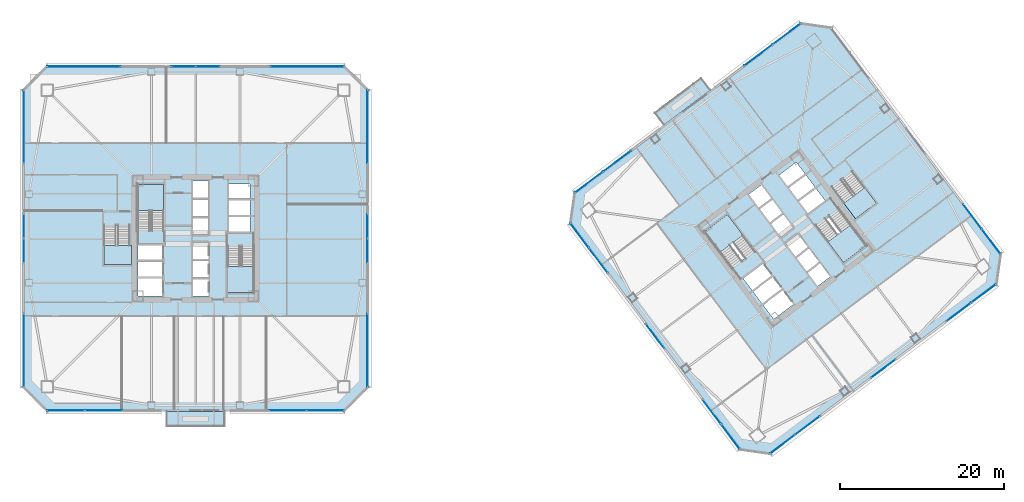
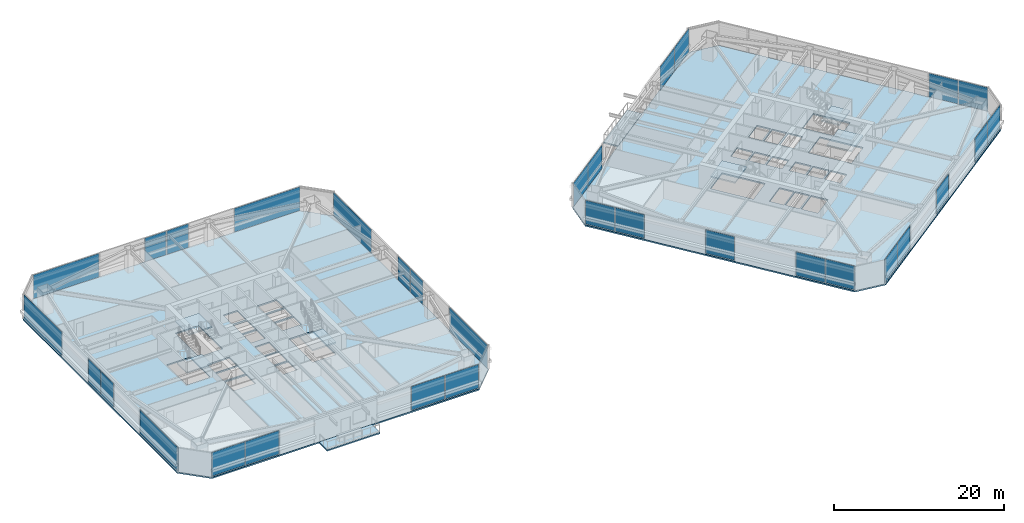
# One storey, part 31 of 44: 32 plates, 10 slabs, 26 elements without a shape of their own.
"""IFC4 building model written with IfcOpenShell, lengths in metres."""

from ifc_helpers import new_model, si_unit, direction, frame, origin, origin_2d, place, context, subcontext, project, spatial, polyline, rectangle, outline, extrude, material, layer, layer_set, type_object, element, aggregate, save


model = new_model("IFC4")

# Units and contexts
model_context = context("Model", 3, precision=1e-05, world=origin(), true_north=direction((0.0, 1.0)))
body_context = subcontext(model_context, "Body", "Model", "MODEL_VIEW")
ifc_project = project(units=[si_unit("LENGTHUNIT", "METRE"), si_unit("AREAUNIT", "SQUARE_METRE"), si_unit("VOLUMEUNIT", "CUBIC_METRE"), si_unit("PLANEANGLEUNIT", "RADIAN"), si_unit("MASSUNIT", "GRAM", prefix="KILO")], contexts=[model_context])

# Site, building, storey
site_placement = place(None, origin())
site = spatial("IfcSite", under=ifc_project, at=site_placement, CompositionType="ELEMENT")
building_placement = place(site_placement, origin())
building = spatial("IfcBuilding", under=site, at=building_placement, Name="Tashvorn Skyway Center", CompositionType="ELEMENT")
storey_placement = place(building_placement, frame((0.0, 0.0, 92.050048828125)))
storey = spatial("IfcBuildingStorey", under=building, at=storey_placement, Name="L24", CompositionType="ELEMENT", Elevation=92.050048828125)

# Curtain wall, plates
ifc_material_1 = material(Name="Thermally broken bronze-anodized aluminium 6063-T6", Category="aluminium")
curtain_wall_type = type_object("IfcCurtainWallType", Name="CW-CW-Z2", PredefinedType="NOTDEFINED", material=ifc_material_1)
curtain_wall_1_placement = place(storey_placement, origin())
curtain_wall_1 = element("IfcCurtainWall", 1, at=curtain_wall_1_placement, inside=storey, type_object=curtain_wall_type, Name="Tower 1 L24 South Curtain Wall L Glazing Group 1", PredefinedType="NOTDEFINED")
ifc_material_2 = material(Name="Low-E solar-control double insulating safety glass", Category="glass")
ifc_layer_1 = layer(ifc_material_2, 0.0439453125)
ifc_layer_set_1 = layer_set([ifc_layer_1], Name="Low-E solar-control double insulating safety glass")
plate_type = type_object("IfcPlateType", Name="CWP-CW-Z2", PredefinedType="CURTAIN_PANEL", material=ifc_layer_set_1)
plate_1_placement = place(storey_placement, frame((57.83837890625, 11.02001953125, 0.080078125), z_axis=(0.0, 0.0, 1.0), x_axis=(-1.0, 0.0, 0.0)))
plate_1 = element("IfcPlate", 2, at=plate_1_placement, type_object=plate_type, Name="CW-Z2 panel 1.1", PredefinedType="CURTAIN_PANEL", context=body_context, shape_type="SweptSolid", body=[
    extrude(rectangle(XDim=4.5234375, YDim=0.0439453125, at=origin_2d()), origin(), (0.0, 0.0, 1.0), 3.389892578125),
])
plate_2_placement = place(storey_placement, frame((53.23486328125, 11.02001953125, 0.080078125), z_axis=(0.0, 0.0, 1.0), x_axis=(-1.0, 0.0, 0.0)))
plate_2 = element("IfcPlate", 3, at=plate_2_placement, type_object=plate_type, Name="CW-Z2 panel 2.1", PredefinedType="CURTAIN_PANEL", context=body_context, shape_type="SweptSolid", body=[
    extrude(rectangle(XDim=4.5234375, YDim=0.0439453125, at=origin_2d()), origin(), (0.0, 0.0, 1.0), 3.389892578125),
])
aggregate(curtain_wall_1, [plate_1, plate_2])

curtain_wall_2_placement = place(storey_placement, origin())
curtain_wall_2 = element("IfcCurtainWall", 4, at=curtain_wall_2_placement, inside=storey, type_object=curtain_wall_type, Name="Tower 1 L24 South Curtain Wall R Glazing Group 1", PredefinedType="NOTDEFINED")
plate_3_placement = place(storey_placement, frame((30.76513671875, 11.02001953125, 0.080078125), z_axis=(0.0, 0.0, 1.0), x_axis=(-1.0, 0.0, 0.0)))
plate_3 = element("IfcPlate", 5, at=plate_3_placement, type_object=plate_type, Name="CW-Z2 panel 1.1", PredefinedType="CURTAIN_PANEL", context=body_context, shape_type="SweptSolid", body=[
    extrude(rectangle(XDim=4.5234375, YDim=0.0439453125, at=origin_2d()), origin(), (0.0, 0.0, 1.0), 3.389892578125),
])
plate_4_placement = place(storey_placement, frame((26.16162109375, 11.02001953125, 0.080078125), z_axis=(0.0, 0.0, 1.0), x_axis=(-1.0, 0.0, 0.0)))
plate_4 = element("IfcPlate", 6, at=plate_4_placement, type_object=plate_type, Name="CW-Z2 panel 2.1", PredefinedType="CURTAIN_PANEL", context=body_context, shape_type="SweptSolid", body=[
    extrude(rectangle(XDim=4.5234375, YDim=0.0439453125, at=origin_2d()), origin(), (0.0, 0.0, 1.0), 3.389892578125),
])
aggregate(curtain_wall_2, [plate_3, plate_4])

# Curtain wall, plate
curtain_wall_3_placement = place(storey_placement, origin())
curtain_wall_3 = element("IfcCurtainWall", 7, at=curtain_wall_3_placement, inside=storey, type_object=curtain_wall_type, Name="Tower 1 L24 West Unitised Curtain Wall Glazing Group 1", PredefinedType="NOTDEFINED")
plate_5_placement = place(storey_placement, frame((21.02001953125, 18.364990234375, 0.080078125), z_axis=(0.0, 0.0, 1.0), x_axis=(0.0, 1.0, 0.0)))
plate_5 = element("IfcPlate", 8, at=plate_5_placement, type_object=plate_type, Name="CW-Z2 panel 1.1", PredefinedType="CURTAIN_PANEL", context=body_context, shape_type="SweptSolid", body=[
    extrude(rectangle(XDim=8.929931640625, YDim=0.0439453125, at=origin_2d()), origin(), (0.0, 0.0, 1.0), 3.389892578125),
])
aggregate(curtain_wall_3, [plate_5])

# Curtain wall, plates
curtain_wall_4_placement = place(storey_placement, origin())
curtain_wall_4 = element("IfcCurtainWall", 9, at=curtain_wall_4_placement, inside=storey, type_object=curtain_wall_type, Name="Tower 1 L24 West Unitised Curtain Wall Glazing Group 2", PredefinedType="NOTDEFINED")
plate_6_placement = place(storey_placement, frame((21.02001953125, 30.5048828125, 0.080078125), z_axis=(0.0, 0.0, 1.0), x_axis=(0.0, 1.0, 0.0)))
plate_6 = element("IfcPlate", 10, at=plate_6_placement, type_object=plate_type, Name="CW-Z2 panel 1.1", PredefinedType="CURTAIN_PANEL", context=body_context, shape_type="SweptSolid", body=[
    extrude(rectangle(XDim=2.909912109375, YDim=0.0439453125, at=origin_2d()), origin(), (0.0, 0.0, 1.0), 3.389892578125),
])
plate_7_placement = place(storey_placement, frame((21.02001953125, 33.4951171875, 0.080078125), z_axis=(0.0, 0.0, 1.0), x_axis=(0.0, 1.0, 0.0)))
plate_7 = element("IfcPlate", 11, at=plate_7_placement, type_object=plate_type, Name="CW-Z2 panel 2.1", PredefinedType="CURTAIN_PANEL", context=body_context, shape_type="SweptSolid", body=[
    extrude(rectangle(XDim=2.909912109375, YDim=0.0439453125, at=origin_2d()), origin(), (0.0, 0.0, 1.0), 3.389892578125),
])
aggregate(curtain_wall_4, [plate_6, plate_7])

# Curtain wall, plate
curtain_wall_5_placement = place(storey_placement, origin())
curtain_wall_5 = element("IfcCurtainWall", 12, at=curtain_wall_5_placement, inside=storey, type_object=curtain_wall_type, Name="Tower 1 L24 West Unitised Curtain Wall Glazing Group 3", PredefinedType="NOTDEFINED")
plate_8_placement = place(storey_placement, frame((21.02001953125, 45.635009765625, 0.080078125), z_axis=(0.0, 0.0, 1.0), x_axis=(0.0, 1.0, 0.0)))
plate_8 = element("IfcPlate", 13, at=plate_8_placement, type_object=plate_type, Name="CW-Z2 panel 1.1", PredefinedType="CURTAIN_PANEL", context=body_context, shape_type="SweptSolid", body=[
    extrude(rectangle(XDim=8.929931640625, YDim=0.0439453125, at=origin_2d()), origin(), (0.0, 0.0, 1.0), 3.389892578125),
])
aggregate(curtain_wall_5, [plate_8])

curtain_wall_6_placement = place(storey_placement, origin())
curtain_wall_6 = element("IfcCurtainWall", 14, at=curtain_wall_6_placement, inside=storey, type_object=curtain_wall_type, Name="Tower 1 L24 North Unitised Curtain Wall Glazing Group 1", PredefinedType="NOTDEFINED")
plate_9_placement = place(storey_placement, frame((28.364990234375, 52.97998046875, 0.080078125), z_axis=(0.0, 0.0, 1.0), x_axis=(1.0, 0.0, 0.0)))
plate_9 = element("IfcPlate", 15, at=plate_9_placement, type_object=plate_type, Name="CW-Z2 panel 1.1", PredefinedType="CURTAIN_PANEL", context=body_context, shape_type="SweptSolid", body=[
    extrude(rectangle(XDim=8.929931640625, YDim=0.0439453125, at=origin_2d()), origin(), (0.0, 0.0, 1.0), 3.389892578125),
])
aggregate(curtain_wall_6, [plate_9])

# Curtain wall, plates
curtain_wall_7_placement = place(storey_placement, origin())
curtain_wall_7 = element("IfcCurtainWall", 16, at=curtain_wall_7_placement, inside=storey, type_object=curtain_wall_type, Name="Tower 1 L24 North Unitised Curtain Wall Glazing Group 2", PredefinedType="NOTDEFINED")
plate_10_placement = place(storey_placement, frame((40.5048828125, 52.97998046875, 0.080078125), z_axis=(0.0, 0.0, 1.0), x_axis=(1.0, 0.0, 0.0)))
plate_10 = element("IfcPlate", 17, at=plate_10_placement, type_object=plate_type, Name="CW-Z2 panel 1.1", PredefinedType="CURTAIN_PANEL", context=body_context, shape_type="SweptSolid", body=[
    extrude(rectangle(XDim=2.909912109375, YDim=0.0439453125, at=origin_2d()), origin(), (0.0, 0.0, 1.0), 3.389892578125),
])
plate_11_placement = place(storey_placement, frame((43.4951171875, 52.97998046875, 0.080078125), z_axis=(0.0, 0.0, 1.0), x_axis=(1.0, 0.0, 0.0)))
plate_11 = element("IfcPlate", 18, at=plate_11_placement, type_object=plate_type, Name="CW-Z2 panel 2.1", PredefinedType="CURTAIN_PANEL", context=body_context, shape_type="SweptSolid", body=[
    extrude(rectangle(XDim=2.909912109375, YDim=0.0439453125, at=origin_2d()), origin(), (0.0, 0.0, 1.0), 3.389892578125),
])
aggregate(curtain_wall_7, [plate_10, plate_11])

# Curtain wall, plate
curtain_wall_8_placement = place(storey_placement, origin())
curtain_wall_8 = element("IfcCurtainWall", 19, at=curtain_wall_8_placement, inside=storey, type_object=curtain_wall_type, Name="Tower 1 L24 North Unitised Curtain Wall Glazing Group 3", PredefinedType="NOTDEFINED")
plate_12_placement = place(storey_placement, frame((55.635009765625, 52.97998046875, 0.080078125), z_axis=(0.0, 0.0, 1.0), x_axis=(1.0, 0.0, 0.0)))
plate_12 = element("IfcPlate", 20, at=plate_12_placement, type_object=plate_type, Name="CW-Z2 panel 1.1", PredefinedType="CURTAIN_PANEL", context=body_context, shape_type="SweptSolid", body=[
    extrude(rectangle(XDim=8.929931640625, YDim=0.0439453125, at=origin_2d()), origin(), (0.0, 0.0, 1.0), 3.389892578125),
])
aggregate(curtain_wall_8, [plate_12])

curtain_wall_9_placement = place(storey_placement, origin())
curtain_wall_9 = element("IfcCurtainWall", 21, at=curtain_wall_9_placement, inside=storey, type_object=curtain_wall_type, Name="Tower 1 L24 East Unitised Curtain Wall Glazing Group 1", PredefinedType="NOTDEFINED")
plate_13_placement = place(storey_placement, frame((62.97998046875, 45.635009765625, 0.080078125), z_axis=(0.0, 0.0, 1.0), x_axis=(0.0, -1.0, 0.0)))
plate_13 = element("IfcPlate", 22, at=plate_13_placement, type_object=plate_type, Name="CW-Z2 panel 1.1", PredefinedType="CURTAIN_PANEL", context=body_context, shape_type="SweptSolid", body=[
    extrude(rectangle(XDim=8.929931640625, YDim=0.0439453125, at=origin_2d()), origin(), (0.0, 0.0, 1.0), 3.389892578125),
])
aggregate(curtain_wall_9, [plate_13])

# Curtain wall, plates
curtain_wall_10_placement = place(storey_placement, origin())
curtain_wall_10 = element("IfcCurtainWall", 23, at=curtain_wall_10_placement, inside=storey, type_object=curtain_wall_type, Name="Tower 1 L24 East Unitised Curtain Wall Glazing Group 2", PredefinedType="NOTDEFINED")
plate_14_placement = place(storey_placement, frame((62.97998046875, 33.4951171875, 0.080078125), z_axis=(0.0, 0.0, 1.0), x_axis=(0.0, -1.0, 0.0)))
plate_14 = element("IfcPlate", 24, at=plate_14_placement, type_object=plate_type, Name="CW-Z2 panel 1.1", PredefinedType="CURTAIN_PANEL", context=body_context, shape_type="SweptSolid", body=[
    extrude(rectangle(XDim=2.909912109375, YDim=0.0439453125, at=origin_2d()), origin(), (0.0, 0.0, 1.0), 3.389892578125),
])
plate_15_placement = place(storey_placement, frame((62.97998046875, 30.5048828125, 0.080078125), z_axis=(0.0, 0.0, 1.0), x_axis=(0.0, -1.0, 0.0)))
plate_15 = element("IfcPlate", 25, at=plate_15_placement, type_object=plate_type, Name="CW-Z2 panel 2.1", PredefinedType="CURTAIN_PANEL", context=body_context, shape_type="SweptSolid", body=[
    extrude(rectangle(XDim=2.909912109375, YDim=0.0439453125, at=origin_2d()), origin(), (0.0, 0.0, 1.0), 3.389892578125),
])
aggregate(curtain_wall_10, [plate_14, plate_15])

# Curtain wall, plate
curtain_wall_11_placement = place(storey_placement, origin())
curtain_wall_11 = element("IfcCurtainWall", 26, at=curtain_wall_11_placement, inside=storey, type_object=curtain_wall_type, Name="Tower 1 L24 East Unitised Curtain Wall Glazing Group 3", PredefinedType="NOTDEFINED")
plate_16_placement = place(storey_placement, frame((62.97998046875, 18.364990234375, 0.080078125), z_axis=(0.0, 0.0, 1.0), x_axis=(0.0, -1.0, 0.0)))
plate_16 = element("IfcPlate", 27, at=plate_16_placement, type_object=plate_type, Name="CW-Z2 panel 1.1", PredefinedType="CURTAIN_PANEL", context=body_context, shape_type="SweptSolid", body=[
    extrude(rectangle(XDim=8.929931640625, YDim=0.0439453125, at=origin_2d()), origin(), (0.0, 0.0, 1.0), 3.389892578125),
])
aggregate(curtain_wall_11, [plate_16])

# Curtain wall, plates
curtain_wall_12_placement = place(storey_placement, origin())
curtain_wall_12 = element("IfcCurtainWall", 28, at=curtain_wall_12_placement, inside=storey, type_object=curtain_wall_type, Name="Tower 2 L24 South Unitised Curtain Wall Glazing Group 1", PredefinedType="NOTDEFINED")
plate_17_placement = place(storey_placement, frame((138.199951171875, 25.300048828125, 0.080078125), z_axis=(0.0, 0.0, 1.0), x_axis=(-0.799999999998, -0.600000000002, 0.0)))
plate_17 = element("IfcPlate", 29, at=plate_17_placement, type_object=plate_type, Name="CW-Z2 panel 1.1", PredefinedType="CURTAIN_PANEL", context=body_context, shape_type="SweptSolid", body=[
    extrude(rectangle(XDim=3.719970703125, YDim=0.0439453125, at=origin_2d()), origin(), (0.0, 0.0, 1.0), 3.389892578125),
])
plate_18_placement = place(storey_placement, frame((135.159912109375, 23.02001953125, 0.080078125), z_axis=(0.0, 0.0, 1.0), x_axis=(-0.799999999998, -0.600000000002, 0.0)))
plate_18 = element("IfcPlate", 30, at=plate_18_placement, type_object=plate_type, Name="CW-Z2 panel 2.1", PredefinedType="CURTAIN_PANEL", context=body_context, shape_type="SweptSolid", body=[
    extrude(rectangle(XDim=3.719970703125, YDim=0.0439453125, at=origin_2d()), origin(), (0.0, 0.0, 1.0), 3.389892578125),
])
aggregate(curtain_wall_12, [plate_17, plate_18])

# Curtain wall, plate
curtain_wall_13_placement = place(storey_placement, origin())
curtain_wall_13 = element("IfcCurtainWall", 31, at=curtain_wall_13_placement, inside=storey, type_object=curtain_wall_type, Name="Tower 2 L24 South Unitised Curtain Wall Glazing Group 2", PredefinedType="NOTDEFINED")
plate_19_placement = place(storey_placement, frame((125.927978515625, 16.095947265625, 0.080078125), z_axis=(0.0, 0.0, 1.0), x_axis=(-0.799999999998, -0.600000000002, 0.0)))
plate_19 = element("IfcPlate", 32, at=plate_19_placement, type_object=plate_type, Name="CW-Z2 panel 1.1", PredefinedType="CURTAIN_PANEL", context=body_context, shape_type="SweptSolid", body=[
    extrude(rectangle(XDim=3.679931640625, YDim=0.0439453125, at=origin_2d()), origin(), (0.0, 0.0, 1.0), 3.389892578125),
])
aggregate(curtain_wall_13, [plate_19])

# Curtain wall, plates
curtain_wall_14_placement = place(storey_placement, origin())
curtain_wall_14 = element("IfcCurtainWall", 33, at=curtain_wall_14_placement, inside=storey, type_object=curtain_wall_type, Name="Tower 2 L24 South Unitised Curtain Wall Glazing Group 3", PredefinedType="NOTDEFINED")
plate_20_placement = place(storey_placement, frame((116.696044921875, 9.172119140625, 0.080078125), z_axis=(0.0, 0.0, 1.0), x_axis=(-0.799999999998, -0.600000000002, 0.0)))
plate_20 = element("IfcPlate", 34, at=plate_20_placement, type_object=plate_type, Name="CW-Z2 panel 1.1", PredefinedType="CURTAIN_PANEL", context=body_context, shape_type="SweptSolid", body=[
    extrude(rectangle(XDim=3.719970703125, YDim=0.0439453125, at=origin_2d()), origin(), (0.0, 0.0, 1.0), 3.389892578125),
])
plate_21_placement = place(storey_placement, frame((113.656005859375, 6.89208984375, 0.080078125), z_axis=(0.0, 0.0, 1.0), x_axis=(-0.799999999998, -0.600000000002, 0.0)))
plate_21 = element("IfcPlate", 35, at=plate_21_placement, type_object=plate_type, Name="CW-Z2 panel 2.1", PredefinedType="CURTAIN_PANEL", context=body_context, shape_type="SweptSolid", body=[
    extrude(rectangle(XDim=3.719970703125, YDim=0.0439453125, at=origin_2d()), origin(), (0.0, 0.0, 1.0), 3.389892578125),
])
aggregate(curtain_wall_14, [plate_20, plate_21])

curtain_wall_15_placement = place(storey_placement, origin())
curtain_wall_15 = element("IfcCurtainWall", 36, at=curtain_wall_15_placement, inside=storey, type_object=curtain_wall_type, Name="Tower 2 L24 West Unitised Curtain Wall Glazing Group 1", PredefinedType="NOTDEFINED")
plate_22_placement = place(storey_placement, frame((107.300048828125, 7.800048828125, 0.080078125), z_axis=(0.0, 0.0, 1.0), x_axis=(-0.600000000002, 0.799999999998, 0.0)))
plate_22 = element("IfcPlate", 37, at=plate_22_placement, type_object=plate_type, Name="CW-Z2 panel 1.1", PredefinedType="CURTAIN_PANEL", context=body_context, shape_type="SweptSolid", body=[
    extrude(rectangle(XDim=3.719970703125, YDim=0.0439453125, at=origin_2d()), origin(), (0.0, 0.0, 1.0), 3.389892578125),
])
plate_23_placement = place(storey_placement, frame((105.02001953125, 10.840087890625, 0.080078125), z_axis=(0.0, 0.0, 1.0), x_axis=(-0.600000000002, 0.799999999998, 0.0)))
plate_23 = element("IfcPlate", 38, at=plate_23_placement, type_object=plate_type, Name="CW-Z2 panel 2.1", PredefinedType="CURTAIN_PANEL", context=body_context, shape_type="SweptSolid", body=[
    extrude(rectangle(XDim=3.719970703125, YDim=0.0439453125, at=origin_2d()), origin(), (0.0, 0.0, 1.0), 3.389892578125),
])
aggregate(curtain_wall_15, [plate_22, plate_23])

# Curtain wall, plate
curtain_wall_16_placement = place(storey_placement, origin())
curtain_wall_16 = element("IfcCurtainWall", 39, at=curtain_wall_16_placement, inside=storey, type_object=curtain_wall_type, Name="Tower 2 L24 West Unitised Curtain Wall Glazing Group 2", PredefinedType="NOTDEFINED")
plate_24_placement = place(storey_placement, frame((98.095947265625, 20.072021484375, 0.080078125), z_axis=(0.0, 0.0, 1.0), x_axis=(-0.600000000002, 0.799999999998, 0.0)))
plate_24 = element("IfcPlate", 40, at=plate_24_placement, type_object=plate_type, Name="CW-Z2 panel 1.1", PredefinedType="CURTAIN_PANEL", context=body_context, shape_type="SweptSolid", body=[
    extrude(rectangle(XDim=3.679931640625, YDim=0.0439453125, at=origin_2d()), origin(), (0.0, 0.0, 1.0), 3.389892578125),
])
aggregate(curtain_wall_16, [plate_24])

# Curtain wall, plates
curtain_wall_17_placement = place(storey_placement, origin())
curtain_wall_17 = element("IfcCurtainWall", 41, at=curtain_wall_17_placement, inside=storey, type_object=curtain_wall_type, Name="Tower 2 L24 West Unitised Curtain Wall Glazing Group 3", PredefinedType="NOTDEFINED")
plate_25_placement = place(storey_placement, frame((91.172119140625, 29.303955078125, 0.080078125), z_axis=(0.0, 0.0, 1.0), x_axis=(-0.600000000002, 0.799999999998, 0.0)))
plate_25 = element("IfcPlate", 42, at=plate_25_placement, type_object=plate_type, Name="CW-Z2 panel 1.1", PredefinedType="CURTAIN_PANEL", context=body_context, shape_type="SweptSolid", body=[
    extrude(rectangle(XDim=3.719970703125, YDim=0.0439453125, at=origin_2d()), origin(), (0.0, 0.0, 1.0), 3.389892578125),
])
plate_26_placement = place(storey_placement, frame((88.89208984375, 32.343994140625, 0.080078125), z_axis=(0.0, 0.0, 1.0), x_axis=(-0.600000000002, 0.799999999998, 0.0)))
plate_26 = element("IfcPlate", 43, at=plate_26_placement, type_object=plate_type, Name="CW-Z2 panel 2.1", PredefinedType="CURTAIN_PANEL", context=body_context, shape_type="SweptSolid", body=[
    extrude(rectangle(XDim=3.719970703125, YDim=0.0439453125, at=origin_2d()), origin(), (0.0, 0.0, 1.0), 3.389892578125),
])
aggregate(curtain_wall_17, [plate_25, plate_26])

curtain_wall_18_placement = place(storey_placement, origin())
curtain_wall_18 = element("IfcCurtainWall", 44, at=curtain_wall_18_placement, inside=storey, type_object=curtain_wall_type, Name="Tower 2 L24 North Curtain Wall L Glazing Group 1", PredefinedType="NOTDEFINED")
plate_27_placement = place(storey_placement, frame((90.001220703125, 38.85107421875, 0.080078125), z_axis=(0.0, 0.0, 1.0), x_axis=(0.799998618565, 0.600001841909, 0.0)))
plate_27 = element("IfcPlate", 45, at=plate_27_placement, type_object=plate_type, Name="CW-Z2 panel 1.1", PredefinedType="CURTAIN_PANEL", context=body_context, shape_type="SweptSolid", body=[
    extrude(rectangle(XDim=4.223388671875, YDim=0.0439453125, at=origin_2d()), origin(), (0.0, 0.0, 1.0), 3.389892578125),
])
plate_28_placement = place(storey_placement, frame((93.444091796875, 41.43310546875, 0.080078125), z_axis=(0.0, 0.0, 1.0), x_axis=(0.799998618565, 0.600001841909, 0.0)))
plate_28 = element("IfcPlate", 46, at=plate_28_placement, type_object=plate_type, Name="CW-Z2 panel 2.1", PredefinedType="CURTAIN_PANEL", context=body_context, shape_type="SweptSolid", body=[
    extrude(rectangle(XDim=4.223388671875, YDim=0.0439453125, at=origin_2d()), origin(), (0.0, 0.0, 1.0), 3.389892578125),
])
aggregate(curtain_wall_18, [plate_27, plate_28])

curtain_wall_19_placement = place(storey_placement, origin())
curtain_wall_19 = element("IfcCurtainWall", 47, at=curtain_wall_19_placement, inside=storey, type_object=curtain_wall_type, Name="Tower 2 L24 North Curtain Wall R Glazing Group 1", PredefinedType="NOTDEFINED")
plate_29_placement = place(storey_placement, frame((110.699951171875, 54.375, 0.080078125), z_axis=(0.0, 0.0, 1.0), x_axis=(0.799998618565, 0.600001841909, 0.0)))
plate_29 = element("IfcPlate", 48, at=plate_29_placement, type_object=plate_type, Name="CW-Z2 panel 1.1", PredefinedType="CURTAIN_PANEL", context=body_context, shape_type="SweptSolid", body=[
    extrude(rectangle(XDim=4.223388671875, YDim=0.0439453125, at=origin_2d()), origin(), (0.0, 0.0, 1.0), 3.389892578125),
])
plate_30_placement = place(storey_placement, frame((114.142578125, 56.95703125, 0.080078125), z_axis=(0.0, 0.0, 1.0), x_axis=(0.799998618565, 0.600001841909, 0.0)))
plate_30 = element("IfcPlate", 49, at=plate_30_placement, type_object=plate_type, Name="CW-Z2 panel 2.1", PredefinedType="CURTAIN_PANEL", context=body_context, shape_type="SweptSolid", body=[
    extrude(rectangle(XDim=4.223388671875, YDim=0.0439453125, at=origin_2d()), origin(), (0.0, 0.0, 1.0), 3.389892578125),
])
aggregate(curtain_wall_19, [plate_29, plate_30])

curtain_wall_20_placement = place(storey_placement, origin())
curtain_wall_20 = element("IfcCurtainWall", 50, at=curtain_wall_20_placement, inside=storey, type_object=curtain_wall_type, Name="Tower 2 L24 East Unitised Curtain Wall Glazing Group 3", PredefinedType="NOTDEFINED")
plate_31_placement = place(storey_placement, frame((136.827880859375, 34.696044921875, 0.080078125), z_axis=(0.0, 0.0, 1.0), x_axis=(0.600000000002, -0.799999999998, 0.0)))
plate_31 = element("IfcPlate", 51, at=plate_31_placement, type_object=plate_type, Name="CW-Z2 panel 1.1", PredefinedType="CURTAIN_PANEL", context=body_context, shape_type="SweptSolid", body=[
    extrude(rectangle(XDim=3.719970703125, YDim=0.0439453125, at=origin_2d()), origin(), (0.0, 0.0, 1.0), 3.389892578125),
])
plate_32_placement = place(storey_placement, frame((139.10791015625, 31.656005859375, 0.080078125), z_axis=(0.0, 0.0, 1.0), x_axis=(0.600000000002, -0.799999999998, 0.0)))
plate_32 = element("IfcPlate", 52, at=plate_32_placement, type_object=plate_type, Name="CW-Z2 panel 2.1", PredefinedType="CURTAIN_PANEL", context=body_context, shape_type="SweptSolid", body=[
    extrude(rectangle(XDim=3.719970703125, YDim=0.0439453125, at=origin_2d()), origin(), (0.0, 0.0, 1.0), 3.389892578125),
])
aggregate(curtain_wall_20, [plate_31, plate_32])

# Slabs
ifc_material_3 = material(Name="Concrete C40/50", Category="concrete")
ifc_layer_2 = layer(ifc_material_3, 0.199951171875)
ifc_layer_set_2 = layer_set([ifc_layer_2], Name="Concrete C40/50")
slab_type_1 = type_object("IfcSlabType", Name="SLAB-FLR-200", PredefinedType="FLOOR", material=ifc_layer_set_2)
slab_1_placement = place(storey_placement, frame((0.0, 0.0, -0.199951171875)))
element("IfcSlab", 53, at=slab_1_placement, inside=storey, type_object=slab_type_1, Name="Tower 1 L24 Composite Floor Slab", PredefinedType="FLOOR", context=body_context, shape_type="SweptSolid", body=[
    extrude(outline(polyline([(23.89990234375, 10.89990234375), (60.10009765625, 10.89990234375), (63.10009765625, 13.89990234375), (63.10009765625, 50.10009765625), (60.10009765625, 53.10009765625), (23.89990234375, 53.10009765625), (20.89990234375, 50.10009765625), (20.89990234375, 13.89990234375), (23.89990234375, 10.89990234375)]), holes=[polyline([(38.10009765625, 33.080078125), (38.10009765625, 38.60009765625), (34.89990234375, 38.60009765625), (34.89990234375, 33.080078125), (38.10009765625, 33.080078125)]), polyline([(45.89990234375, 30.919921875), (45.89990234375, 25.39990234375), (49.10009765625, 25.39990234375), (49.10009765625, 30.919921875), (45.89990234375, 30.919921875)]), polyline([(30.800048828125, 33.52001953125), (30.800048828125, 28.800048828125), (34.0, 28.800048828125), (34.0, 33.52001953125), (30.800048828125, 33.52001953125)]), polyline([(34.949951171875, 29.35009765625), (37.949951171875, 29.35009765625), (37.949951171875, 31.199951171875), (34.949951171875, 31.199951171875), (34.949951171875, 29.35009765625)]), polyline([(34.949951171875, 27.35009765625), (37.949951171875, 27.35009765625), (37.949951171875, 29.199951171875), (34.949951171875, 29.199951171875), (34.949951171875, 27.35009765625)]), polyline([(34.949951171875, 25.0), (37.949951171875, 25.0), (37.949951171875, 27.14990234375), (34.949951171875, 27.14990234375), (34.949951171875, 25.0)]), polyline([(41.64990234375, 25.0), (43.550048828125, 25.0), (43.550048828125, 27.050048828125), (41.64990234375, 27.050048828125), (41.64990234375, 25.0)]), polyline([(41.64990234375, 27.25), (43.550048828125, 27.25), (43.550048828125, 29.300048828125), (41.64990234375, 29.300048828125), (41.64990234375, 27.25)]), polyline([(41.64990234375, 29.5), (43.550048828125, 29.5), (43.550048828125, 31.550048828125), (41.64990234375, 31.550048828125), (41.64990234375, 29.5)]), polyline([(41.64990234375, 32.449951171875), (43.550048828125, 32.449951171875), (43.550048828125, 34.5), (41.64990234375, 34.5), (41.64990234375, 32.449951171875)]), polyline([(41.64990234375, 34.699951171875), (43.550048828125, 34.699951171875), (43.550048828125, 36.75), (41.64990234375, 36.75), (41.64990234375, 34.699951171875)]), polyline([(41.64990234375, 36.949951171875), (43.550048828125, 36.949951171875), (43.550048828125, 39.0), (41.64990234375, 39.0), (41.64990234375, 36.949951171875)]), polyline([(46.050048828125, 32.800048828125), (48.64990234375, 32.800048828125), (48.64990234375, 34.64990234375), (46.050048828125, 34.64990234375), (46.050048828125, 32.800048828125)]), polyline([(46.050048828125, 34.85009765625), (48.64990234375, 34.85009765625), (48.64990234375, 36.699951171875), (46.050048828125, 36.699951171875), (46.050048828125, 34.85009765625)]), polyline([(46.050048828125, 36.89990234375), (48.64990234375, 36.89990234375), (48.64990234375, 38.64990234375), (46.050048828125, 38.64990234375), (46.050048828125, 36.89990234375)])]), origin(), (0.0, 0.0, 1.0), 0.199951171875),
])
slab_2_placement = place(storey_placement, frame((0.0, 0.0, -0.199951171875)))
element("IfcSlab", 54, at=slab_2_placement, inside=storey, type_object=slab_type_1, Name="Tower 2 L24 Composite Floor Slab", PredefinedType="FLOOR", context=body_context, shape_type="SweptSolid", body=[
    extrude(outline(polyline([(112.239990234375, 5.679931640625), (139.760009765625, 26.320068359375), (140.320068359375, 30.239990234375), (119.679931640625, 57.760009765625), (115.760009765625, 58.320068359375), (88.239990234375, 37.679931640625), (87.679931640625, 33.760009765625), (108.320068359375, 6.239990234375), (112.239990234375, 5.679931640625)]), holes=[polyline([(110.23193359375, 30.52392578125), (106.919921875, 34.93994140625), (104.135986328125, 32.85205078125), (107.447998046875, 28.43603515625), (110.23193359375, 30.52392578125)]), polyline([(117.76806640625, 33.47607421875), (121.080078125, 29.06005859375), (123.864013671875, 31.14794921875), (120.552001953125, 35.56396484375), (117.76806640625, 33.47607421875)]), polyline([(119.7119140625, 38.18408203125), (122.5439453125, 34.407958984375), (125.10400390625, 36.327880859375), (122.27197265625, 40.10400390625), (119.7119140625, 38.18408203125)]), polyline([(109.949951171875, 25.64990234375), (112.35009765625, 27.449951171875), (111.239990234375, 28.929931640625), (108.840087890625, 27.1298828125), (109.949951171875, 25.64990234375)]), polyline([(111.14990234375, 24.050048828125), (113.550048828125, 25.85009765625), (112.43994140625, 27.330078125), (110.0400390625, 25.530029296875), (111.14990234375, 24.050048828125)]), polyline([(112.56005859375, 22.169921875), (114.9599609375, 23.969970703125), (113.669921875, 25.68994140625), (111.27001953125, 23.889892578125), (112.56005859375, 22.169921875)]), polyline([(117.919921875, 26.18994140625), (119.43994140625, 27.330078125), (118.2099609375, 28.969970703125), (116.68994140625, 27.830078125), (117.919921875, 26.18994140625)]), polyline([(116.570068359375, 27.989990234375), (118.090087890625, 29.1298828125), (116.860107421875, 30.77001953125), (115.340087890625, 29.6298828125), (116.570068359375, 27.989990234375)]), polyline([(115.219970703125, 29.7900390625), (116.739990234375, 30.929931640625), (115.510009765625, 32.570068359375), (113.989990234375, 31.429931640625), (115.219970703125, 29.7900390625)]), polyline([(113.449951171875, 32.14990234375), (114.969970703125, 33.2900390625), (113.739990234375, 34.929931640625), (112.219970703125, 33.7900390625), (113.449951171875, 32.14990234375)]), polyline([(112.10009765625, 33.949951171875), (113.6201171875, 35.090087890625), (112.389892578125, 36.72998046875), (110.8701171875, 35.590087890625), (112.10009765625, 33.949951171875)]), polyline([(110.75, 35.75), (112.27001953125, 36.889892578125), (111.0400390625, 38.530029296875), (109.52001953125, 37.389892578125), (110.75, 35.75)]), polyline([(116.760009765625, 35.070068359375), (118.840087890625, 36.6298828125), (117.72998046875, 38.110107421875), (115.64990234375, 36.550048828125), (116.760009765625, 35.070068359375)]), polyline([(115.530029296875, 36.7099609375), (117.610107421875, 38.27001953125), (116.5, 39.75), (114.419921875, 38.18994140625), (115.530029296875, 36.7099609375)]), polyline([(114.300048828125, 38.35009765625), (116.3798828125, 39.909912109375), (115.330078125, 41.31005859375), (113.25, 39.75), (114.300048828125, 38.35009765625)])]), origin(), (0.0, 0.0, 1.0), 0.199951171875),
])

# Stair, slab
stair_type = type_object("IfcStairType", Name="STAIR-CORE-1500", PredefinedType="HALF_TURN_STAIR", material=ifc_material_3)
stair_1_placement = place(storey_placement, origin())
stair_1 = element("IfcStair", 55, at=stair_1_placement, inside=storey, type_object=stair_type, Name="L24 Tower 1 Exit Stair 1", PredefinedType="HALF_TURN_STAIR")
ifc_layer_3 = layer(ifc_material_3, 0.199951171875)
ifc_layer_set_3 = layer_set([ifc_layer_3], Name="Concrete C40/50")
slab_type_2 = type_object("IfcSlabType", Name="SLAB-LAND-200", PredefinedType="LANDING", material=ifc_layer_set_3)
slab_3_placement = place(storey_placement, frame((0.0, 0.0, 1.574951171875)))
slab_3 = element("IfcSlab", 56, at=slab_3_placement, type_object=slab_type_2, Name="ST-T1-1 landing 1", PredefinedType="LANDING", context=body_context, shape_type="SweptSolid", body=[
    extrude(outline(polyline([(38.10009765625, 35.43994140625), (38.10009765625, 38.60009765625), (34.89990234375, 38.60009765625), (34.89990234375, 35.43994140625), (38.10009765625, 35.43994140625)])), origin(), (0.0, 0.0, 1.0), 0.199951171875),
])
aggregate(stair_1, [slab_3])

stair_2_placement = place(storey_placement, origin())
stair_2 = element("IfcStair", 57, at=stair_2_placement, inside=storey, type_object=stair_type, Name="L24 Tower 1 Exit Stair 2", PredefinedType="HALF_TURN_STAIR")
slab_4_placement = place(storey_placement, frame((0.0, 0.0, 1.574951171875)))
slab_4 = element("IfcSlab", 58, at=slab_4_placement, type_object=slab_type_2, Name="ST-T1-2 landing 1", PredefinedType="LANDING", context=body_context, shape_type="SweptSolid", body=[
    extrude(outline(polyline([(45.89990234375, 28.56005859375), (45.89990234375, 25.39990234375), (49.10009765625, 25.39990234375), (49.10009765625, 28.56005859375), (45.89990234375, 28.56005859375)])), origin(), (0.0, 0.0, 1.0), 0.199951171875),
])
aggregate(stair_2, [slab_4])

stair_3_placement = place(storey_placement, origin())
stair_3 = element("IfcStair", 59, at=stair_3_placement, inside=storey, type_object=stair_type, Name="L24 Tower 2 Exit Stair 1", PredefinedType="HALF_TURN_STAIR")
slab_5_placement = place(storey_placement, frame((0.0, 0.0, 1.574951171875)))
slab_5 = element("IfcSlab", 60, at=slab_5_placement, type_object=slab_type_2, Name="ST-T2-1 landing 1", PredefinedType="LANDING", context=body_context, shape_type="SweptSolid", body=[
    extrude(outline(polyline([(108.82080078125, 32.405517578125), (106.919921875, 34.93994140625), (104.135986328125, 32.85205078125), (106.036865234375, 30.317626953125), (108.82080078125, 32.405517578125)])), origin(), (0.0, 0.0, 1.0), 0.199951171875),
])
aggregate(stair_3, [slab_5])

stair_4_placement = place(storey_placement, origin())
stair_4 = element("IfcStair", 61, at=stair_4_placement, inside=storey, type_object=stair_type, Name="L24 Tower 2 Exit Stair 2", PredefinedType="HALF_TURN_STAIR")
slab_6_placement = place(storey_placement, frame((0.0, 0.0, 1.574951171875)))
slab_6 = element("IfcSlab", 62, at=slab_6_placement, type_object=slab_type_2, Name="ST-T2-2 landing 1", PredefinedType="LANDING", context=body_context, shape_type="SweptSolid", body=[
    extrude(outline(polyline([(119.17919921875, 31.594482421875), (121.080078125, 29.06005859375), (123.864013671875, 31.14794921875), (121.963134765625, 33.682373046875), (119.17919921875, 31.594482421875)])), origin(), (0.0, 0.0, 1.0), 0.199951171875),
])
aggregate(stair_4, [slab_6])

stair_5_placement = place(storey_placement, origin())
stair_5 = element("IfcStair", 63, at=stair_5_placement, inside=storey, type_object=stair_type, Name="L24 Tower 1 Exit Stair 3", PredefinedType="HALF_TURN_STAIR")
slab_7_placement = place(storey_placement, frame((0.0, 0.0, 1.574951171875)))
slab_7 = element("IfcSlab", 64, at=slab_7_placement, type_object=slab_type_2, Name="ST-T1-3 landing 1", PredefinedType="LANDING", context=body_context, shape_type="SweptSolid", body=[
    extrude(outline(polyline([(30.800048828125, 31.159912109375), (30.800048828125, 28.800048828125), (34.199951171875, 28.800048828125), (34.199951171875, 31.159912109375), (30.800048828125, 31.159912109375)])), origin(), (0.0, 0.0, 1.0), 0.199951171875),
])
aggregate(stair_5, [slab_7])

stair_6_placement = place(storey_placement, origin())
stair_6 = element("IfcStair", 65, at=stair_6_placement, inside=storey, type_object=stair_type, Name="L24 Tower 2 Exit Stair 3", PredefinedType="HALF_TURN_STAIR")
slab_8_placement = place(storey_placement, frame((0.0, 0.0, 1.574951171875)))
slab_8 = element("IfcSlab", 66, at=slab_8_placement, type_object=slab_type_2, Name="ST-T2-3 landing 1", PredefinedType="LANDING", context=body_context, shape_type="SweptSolid", body=[
    extrude(outline(polyline([(121.123291015625, 36.302490234375), (122.5439453125, 34.407958984375), (125.10400390625, 36.327880859375), (123.68310546875, 38.222412109375), (121.123291015625, 36.302490234375)])), origin(), (0.0, 0.0, 1.0), 0.199951171875),
])
aggregate(stair_6, [slab_8])

# Slabs
ifc_layer_4 = layer(ifc_material_3, 0.179931640625)
ifc_layer_set_4 = layer_set([ifc_layer_4], Name="Concrete C40/50")
slab_type_3 = type_object("IfcSlabType", Name="SLAB-TERR-200", PredefinedType="FLOOR", material=ifc_layer_set_4)
slab_9_placement = place(storey_placement, frame((0.0, 0.0, -0.199951171875)))
element("IfcSlab", 67, at=slab_9_placement, inside=storey, type_object=slab_type_3, Name="Tower 1 L24 Spiral Planted Terrace Slab", PredefinedType="FLOOR", context=body_context, shape_type="SweptSolid", body=[
    extrude(outline(polyline([(38.39990234375, 9.0), (45.60009765625, 9.0), (45.60009765625, 10.909912109375), (38.39990234375, 10.909912109375), (38.39990234375, 9.0)])), origin(), (0.0, 0.0, 1.0), 0.199951171875),
])
slab_10_placement = place(storey_placement, frame((0.0, 0.0, -0.199951171875)))
element("IfcSlab", 68, at=slab_10_placement, inside=storey, type_object=slab_type_3, Name="Tower 2 L24 Spiral Planted Terrace Slab", PredefinedType="FLOOR", context=body_context, shape_type="SweptSolid", body=[
    extrude(outline(polyline([(99.1259765625, 45.83203125), (104.885986328125, 50.152099609375), (103.739990234375, 51.679931640625), (97.97998046875, 47.360107421875), (99.1259765625, 45.83203125)])), origin(), (0.0, 0.0, 1.0), 0.199951171875),
])

save(model, "model.ifc")
